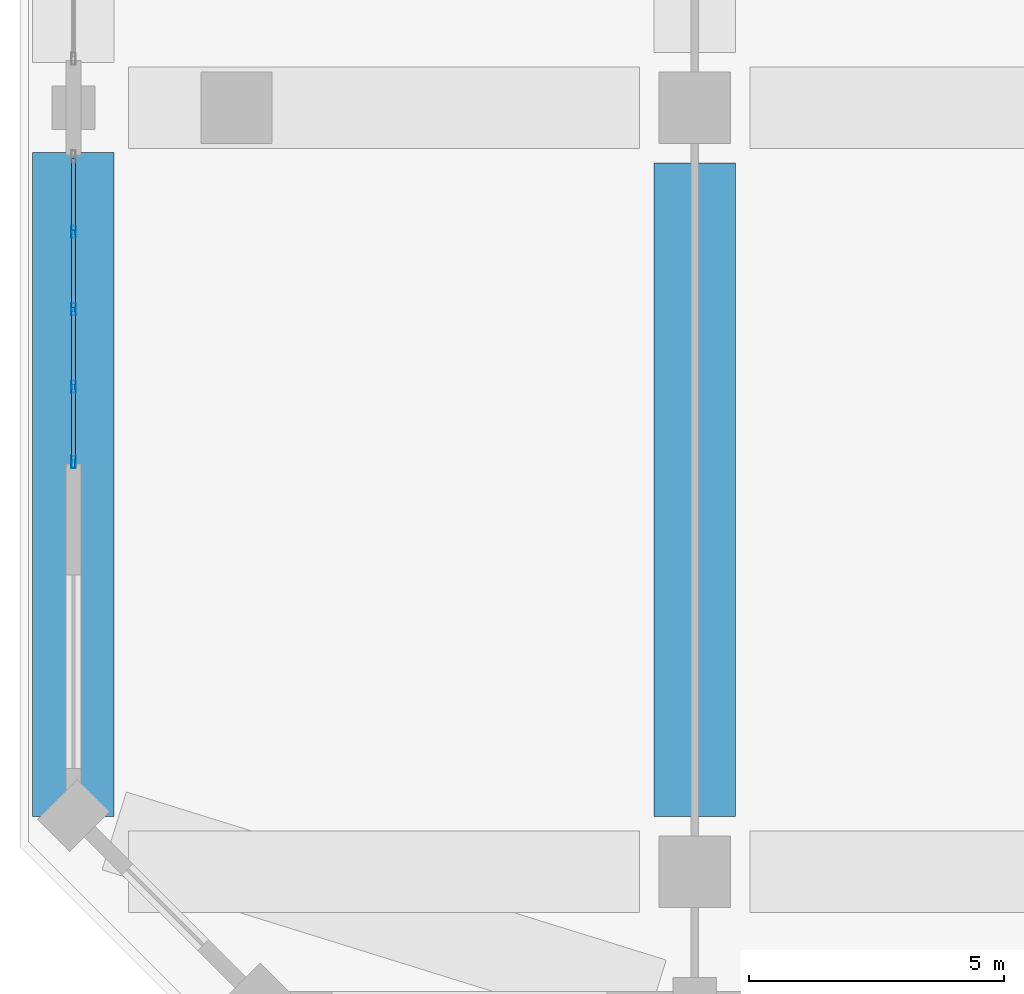
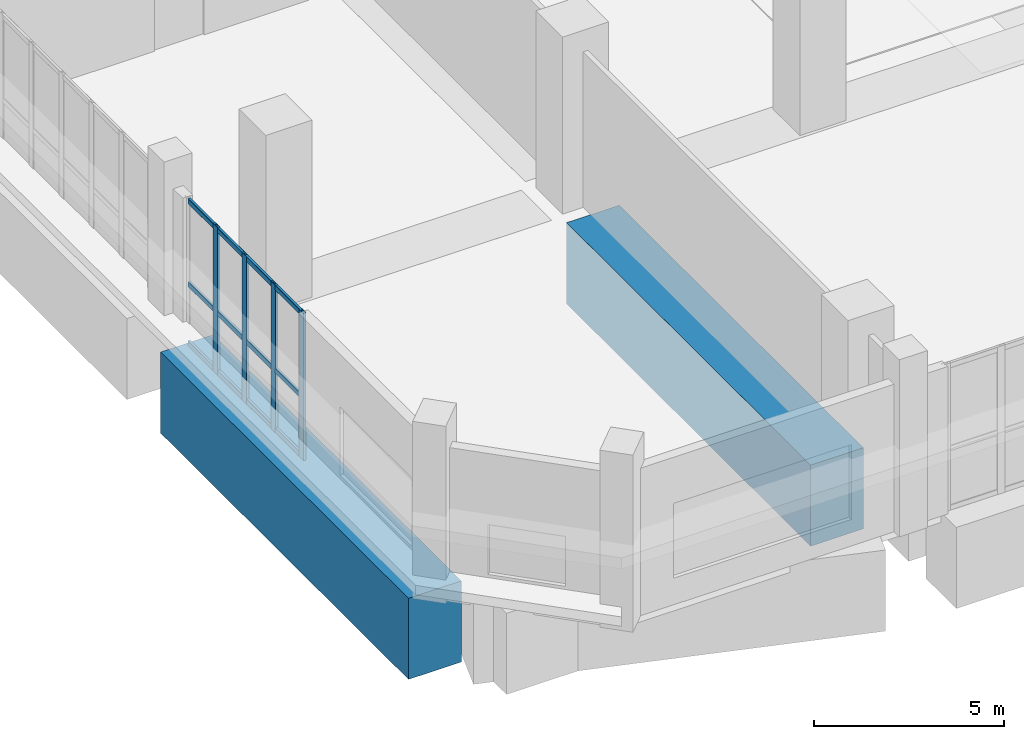
# One storey, part 3 of 25: 16 members, 2 beams, 1 element without a shape of its own.
"""IFC4 building model written with IfcOpenShell, lengths in metres."""

from ifc_helpers import new_model, si_unit, direction, frame, origin, origin_2d, place, context, subcontext, project, spatial, rectangle, hollow_rectangle, extrude, material, layer, layer_set, material_profile, profile_set, type_object, element, aggregate, save


model = new_model("IFC4")

# Units and contexts
model_context = context("Model", 3, precision=1e-05, world=origin(), true_north=direction((0.0, 1.0)))
body_context = subcontext(model_context, "Body", "Model", "MODEL_VIEW")
ifc_project = project(units=[si_unit("LENGTHUNIT", "METRE"), si_unit("AREAUNIT", "SQUARE_METRE"), si_unit("VOLUMEUNIT", "CUBIC_METRE"), si_unit("PLANEANGLEUNIT", "RADIAN"), si_unit("MASSUNIT", "GRAM", prefix="KILO")], contexts=[model_context])

# Site, building, storey
site_placement = place(None, origin())
site = spatial("IfcSite", under=ifc_project, at=site_placement, CompositionType="ELEMENT")
building_placement = place(site_placement, origin())
building = spatial("IfcBuilding", under=site, at=building_placement, Name="Kaelvorn Grand Hotel", CompositionType="ELEMENT")
storey_placement = place(building_placement, frame((0.0, 0.0, 8.0)))
storey = spatial("IfcBuildingStorey", under=building, at=storey_placement, Name="L01", CompositionType="ELEMENT", Elevation=8.0)

# Beams
ifc_material_1 = material(Name="Concrete C80/95", Category="concrete")
ifc_material_profile_1 = material_profile(ifc_material_1, rectangle(XDim=1.60009765625, YDim=2.60009765625, at=origin_2d()), Name="RC TG 1600x2600")
ifc_profile_set_1 = profile_set([ifc_material_profile_1], Name="Concrete C80/95")
beam_type = type_object("IfcBeamType", Name="BM-TG-1600x2600-C80", PredefinedType="USERDEFINED", material=ifc_profile_set_1)
beam_1_placement = place(storey_placement, frame((-3.199951171875, 1.0849609375, -1.300048828125), z_axis=(0.0, 1.0, 0.0), x_axis=(-1.0, 0.0, 0.0)))
element("IfcBeam", 1, at=beam_1_placement, inside=storey, type_object=beam_type, Name="L01 Pilotis Transfer Girder TGY-W3 01", ObjectType="TRANSFER GIRDER", PredefinedType="USERDEFINED", context=body_context, shape_type="SweptSolid", body=[
    extrude(rectangle(XDim=1.60009765625, YDim=2.60009765625, at=origin_2d()), origin(), (0.0, 0.0, 1.0), 13.030029296875),
])
beam_2_placement = place(storey_placement, frame((9.0, 1.0849609375, -1.300048828125), z_axis=(0.0, 1.0, 0.0), x_axis=(-1.0, 0.0, 0.0)))
element("IfcBeam", 2, at=beam_2_placement, inside=storey, type_object=beam_type, Name="L01 Pilotis Transfer Girder TGY-X09 01", ObjectType="TRANSFER GIRDER", PredefinedType="USERDEFINED", context=body_context, shape_type="SweptSolid", body=[
    extrude(rectangle(XDim=1.60009765625, YDim=2.60009765625, at=origin_2d()), origin(), (0.0, 0.0, 1.0), 12.830078125),
])

# Curtain wall, members
ifc_material_2 = material(Name="Anodised Aluminium", Category="aluminium")
ifc_layer = layer(ifc_material_2, 0.239990234375)
ifc_layer_set = layer_set([ifc_layer], Name="Anodised Aluminium")
curtain_wall_type = type_object("IfcCurtainWallType", Name="CW-SYS1", PredefinedType="NOTDEFINED", material=ifc_layer_set)
curtain_wall_placement = place(storey_placement, origin())
curtain_wall = element("IfcCurtainWall", 3, at=curtain_wall_placement, inside=storey, type_object=curtain_wall_type, Name="L01 Unitised Curtain Wall CW1 (CW-L01-W-01)", PredefinedType="NOTDEFINED")
ifc_material_profile_2 = material_profile(ifc_material_2, hollow_rectangle(XDim=0.080078125, YDim=0.239990234375, WallThickness=0.0048828125, InnerFilletRadius=0.0048828125, OuterFilletRadius=0.010009765625, at=origin_2d()), Name="ALU MULL 80x240")
ifc_profile_set_2 = profile_set([ifc_material_profile_2], Name="Anodised Aluminium")
member_type_1 = type_object("IfcMemberType", Name="CW-SYS1-MULL", PredefinedType="MULLION", material=ifc_profile_set_2)
member_1_placement = place(storey_placement, frame((-3.199951171875, 12.56005859375, 0.0), z_axis=(0.0, 0.0, 1.0), x_axis=(1.0, 0.0, 0.0)))
member_1 = element("IfcMember", 4, at=member_1_placement, type_object=member_type_1, Name="CW1 mullion 2", PredefinedType="MULLION", context=body_context, shape_type="SweptSolid", body=[
    extrude(hollow_rectangle(XDim=0.080078125, YDim=0.239990234375, WallThickness=0.0048828125, InnerFilletRadius=0.0048828125, OuterFilletRadius=0.010009765625, at=origin_2d()), origin(), (0.0, 0.0, 1.0), 4.72998046875),
])
member_2_placement = place(storey_placement, frame((-3.199951171875, 11.0400390625, 0.0), z_axis=(0.0, 0.0, 1.0), x_axis=(1.0, 0.0, 0.0)))
member_2 = element("IfcMember", 5, at=member_2_placement, type_object=member_type_1, Name="CW1 mullion 3", PredefinedType="MULLION", context=body_context, shape_type="SweptSolid", body=[
    extrude(hollow_rectangle(XDim=0.080078125, YDim=0.239990234375, WallThickness=0.0048828125, InnerFilletRadius=0.0048828125, OuterFilletRadius=0.010009765625, at=origin_2d()), origin(), (0.0, 0.0, 1.0), 4.72998046875),
])
member_3_placement = place(storey_placement, frame((-3.199951171875, 9.52001953125, 0.0), z_axis=(0.0, 0.0, 1.0), x_axis=(1.0, 0.0, 0.0)))
member_3 = element("IfcMember", 6, at=member_3_placement, type_object=member_type_1, Name="CW1 mullion 4", PredefinedType="MULLION", context=body_context, shape_type="SweptSolid", body=[
    extrude(hollow_rectangle(XDim=0.080078125, YDim=0.239990234375, WallThickness=0.0048828125, InnerFilletRadius=0.0048828125, OuterFilletRadius=0.010009765625, at=origin_2d()), origin(), (0.0, 0.0, 1.0), 4.72998046875),
])
member_4_placement = place(storey_placement, frame((-3.199951171875, 8.0400390625, 0.0), z_axis=(0.0, 0.0, 1.0), x_axis=(1.0, 0.0, 0.0)))
member_4 = element("IfcMember", 7, at=member_4_placement, type_object=member_type_1, Name="CW1 mullion 5", PredefinedType="MULLION", context=body_context, shape_type="SweptSolid", body=[
    extrude(hollow_rectangle(XDim=0.080078125, YDim=0.239990234375, WallThickness=0.0048828125, InnerFilletRadius=0.0048828125, OuterFilletRadius=0.010009765625, at=origin_2d()), origin(), (0.0, 0.0, 1.0), 4.72998046875),
])
ifc_material_profile_3 = material_profile(ifc_material_2, hollow_rectangle(XDim=0.080078125, YDim=0.1650390625, WallThickness=0.00439453125, InnerFilletRadius=0.00439453125, OuterFilletRadius=0.009033203125, at=origin_2d()), Name="ALU TRAN 80x165")
ifc_profile_set_3 = profile_set([ifc_material_profile_3], Name="Anodised Aluminium")
member_type_2 = type_object("IfcMemberType", Name="CW-SYS1-TRAN", PredefinedType="NOTDEFINED", material=ifc_profile_set_3)
member_5_placement = place(storey_placement, frame((-3.199951171875, 14.0, 0.08251953125), z_axis=(0.0, -1.0, 0.0), x_axis=(1.0, 0.0, 0.0)))
member_5 = element("IfcMember", 8, at=member_5_placement, type_object=member_type_2, Name="CW1 transom 1.1", ObjectType="TRANSOM", PredefinedType="USERDEFINED", context=body_context, shape_type="SweptSolid", body=[
    extrude(hollow_rectangle(XDim=0.080078125, YDim=0.1650390625, WallThickness=0.00439453125, InnerFilletRadius=0.00439453125, OuterFilletRadius=0.009033203125, at=origin_2d()), origin(), (0.0, 0.0, 1.0), 1.39990234375),
])
member_6_placement = place(storey_placement, frame((-3.199951171875, 14.0, 1.986572265625), z_axis=(0.0, -1.0, 0.0), x_axis=(1.0, 0.0, 0.0)))
member_6 = element("IfcMember", 9, at=member_6_placement, type_object=member_type_2, Name="CW1 transom 1.2", ObjectType="TRANSOM", PredefinedType="USERDEFINED", context=body_context, shape_type="SweptSolid", body=[
    extrude(hollow_rectangle(XDim=0.080078125, YDim=0.1650390625, WallThickness=0.00439453125, InnerFilletRadius=0.00439453125, OuterFilletRadius=0.009033203125, at=origin_2d()), origin(), (0.0, 0.0, 1.0), 1.39990234375),
])
member_7_placement = place(storey_placement, frame((-3.199951171875, 14.0, 4.6474609375), z_axis=(0.0, -1.0, 0.0), x_axis=(1.0, 0.0, 0.0)))
member_7 = element("IfcMember", 10, at=member_7_placement, type_object=member_type_2, Name="CW1 transom 1.3", ObjectType="TRANSOM", PredefinedType="USERDEFINED", context=body_context, shape_type="SweptSolid", body=[
    extrude(hollow_rectangle(XDim=0.080078125, YDim=0.1650390625, WallThickness=0.00439453125, InnerFilletRadius=0.00439453125, OuterFilletRadius=0.009033203125, at=origin_2d()), origin(), (0.0, 0.0, 1.0), 1.39990234375),
])
member_8_placement = place(storey_placement, frame((-3.199951171875, 12.52001953125, 0.08251953125), z_axis=(0.0, -1.0, 0.0), x_axis=(1.0, 0.0, 0.0)))
member_8 = element("IfcMember", 11, at=member_8_placement, type_object=member_type_2, Name="CW1 transom 2.1", ObjectType="TRANSOM", PredefinedType="USERDEFINED", context=body_context, shape_type="SweptSolid", body=[
    extrude(hollow_rectangle(XDim=0.080078125, YDim=0.1650390625, WallThickness=0.00439453125, InnerFilletRadius=0.00439453125, OuterFilletRadius=0.009033203125, at=origin_2d()), origin(), (0.0, 0.0, 1.0), 1.43994140625),
])
member_9_placement = place(storey_placement, frame((-3.199951171875, 12.52001953125, 1.986572265625), z_axis=(0.0, -1.0, 0.0), x_axis=(1.0, 0.0, 0.0)))
member_9 = element("IfcMember", 12, at=member_9_placement, type_object=member_type_2, Name="CW1 transom 2.2", ObjectType="TRANSOM", PredefinedType="USERDEFINED", context=body_context, shape_type="SweptSolid", body=[
    extrude(hollow_rectangle(XDim=0.080078125, YDim=0.1650390625, WallThickness=0.00439453125, InnerFilletRadius=0.00439453125, OuterFilletRadius=0.009033203125, at=origin_2d()), origin(), (0.0, 0.0, 1.0), 1.43994140625),
])
member_10_placement = place(storey_placement, frame((-3.199951171875, 12.52001953125, 4.6474609375), z_axis=(0.0, -1.0, 0.0), x_axis=(1.0, 0.0, 0.0)))
member_10 = element("IfcMember", 13, at=member_10_placement, type_object=member_type_2, Name="CW1 transom 2.3", ObjectType="TRANSOM", PredefinedType="USERDEFINED", context=body_context, shape_type="SweptSolid", body=[
    extrude(hollow_rectangle(XDim=0.080078125, YDim=0.1650390625, WallThickness=0.00439453125, InnerFilletRadius=0.00439453125, OuterFilletRadius=0.009033203125, at=origin_2d()), origin(), (0.0, 0.0, 1.0), 1.43994140625),
])
member_11_placement = place(storey_placement, frame((-3.199951171875, 11.0, 0.08251953125), z_axis=(0.0, -1.0, 0.0), x_axis=(1.0, 0.0, 0.0)))
member_11 = element("IfcMember", 14, at=member_11_placement, type_object=member_type_2, Name="CW1 transom 3.1", ObjectType="TRANSOM", PredefinedType="USERDEFINED", context=body_context, shape_type="SweptSolid", body=[
    extrude(hollow_rectangle(XDim=0.080078125, YDim=0.1650390625, WallThickness=0.00439453125, InnerFilletRadius=0.00439453125, OuterFilletRadius=0.009033203125, at=origin_2d()), origin(), (0.0, 0.0, 1.0), 1.43994140625),
])
member_12_placement = place(storey_placement, frame((-3.199951171875, 11.0, 1.986572265625), z_axis=(0.0, -1.0, 0.0), x_axis=(1.0, 0.0, 0.0)))
member_12 = element("IfcMember", 15, at=member_12_placement, type_object=member_type_2, Name="CW1 transom 3.2", ObjectType="TRANSOM", PredefinedType="USERDEFINED", context=body_context, shape_type="SweptSolid", body=[
    extrude(hollow_rectangle(XDim=0.080078125, YDim=0.1650390625, WallThickness=0.00439453125, InnerFilletRadius=0.00439453125, OuterFilletRadius=0.009033203125, at=origin_2d()), origin(), (0.0, 0.0, 1.0), 1.43994140625),
])
member_13_placement = place(storey_placement, frame((-3.199951171875, 11.0, 4.6474609375), z_axis=(0.0, -1.0, 0.0), x_axis=(1.0, 0.0, 0.0)))
member_13 = element("IfcMember", 16, at=member_13_placement, type_object=member_type_2, Name="CW1 transom 3.3", ObjectType="TRANSOM", PredefinedType="USERDEFINED", context=body_context, shape_type="SweptSolid", body=[
    extrude(hollow_rectangle(XDim=0.080078125, YDim=0.1650390625, WallThickness=0.00439453125, InnerFilletRadius=0.00439453125, OuterFilletRadius=0.009033203125, at=origin_2d()), origin(), (0.0, 0.0, 1.0), 1.43994140625),
])
member_14_placement = place(storey_placement, frame((-3.199951171875, 9.47998046875, 0.08251953125), z_axis=(0.0, -1.0, 0.0), x_axis=(1.0, 0.0, 0.0)))
member_14 = element("IfcMember", 17, at=member_14_placement, type_object=member_type_2, Name="CW1 transom 4.1", ObjectType="TRANSOM", PredefinedType="USERDEFINED", context=body_context, shape_type="SweptSolid", body=[
    extrude(hollow_rectangle(XDim=0.080078125, YDim=0.1650390625, WallThickness=0.00439453125, InnerFilletRadius=0.00439453125, OuterFilletRadius=0.009033203125, at=origin_2d()), origin(), (0.0, 0.0, 1.0), 1.39990234375),
])
member_15_placement = place(storey_placement, frame((-3.199951171875, 9.47998046875, 1.986572265625), z_axis=(0.0, -1.0, 0.0), x_axis=(1.0, 0.0, 0.0)))
member_15 = element("IfcMember", 18, at=member_15_placement, type_object=member_type_2, Name="CW1 transom 4.2", ObjectType="TRANSOM", PredefinedType="USERDEFINED", context=body_context, shape_type="SweptSolid", body=[
    extrude(hollow_rectangle(XDim=0.080078125, YDim=0.1650390625, WallThickness=0.00439453125, InnerFilletRadius=0.00439453125, OuterFilletRadius=0.009033203125, at=origin_2d()), origin(), (0.0, 0.0, 1.0), 1.39990234375),
])
member_16_placement = place(storey_placement, frame((-3.199951171875, 9.47998046875, 4.6474609375), z_axis=(0.0, -1.0, 0.0), x_axis=(1.0, 0.0, 0.0)))
member_16 = element("IfcMember", 19, at=member_16_placement, type_object=member_type_2, Name="CW1 transom 4.3", ObjectType="TRANSOM", PredefinedType="USERDEFINED", context=body_context, shape_type="SweptSolid", body=[
    extrude(hollow_rectangle(XDim=0.080078125, YDim=0.1650390625, WallThickness=0.00439453125, InnerFilletRadius=0.00439453125, OuterFilletRadius=0.009033203125, at=origin_2d()), origin(), (0.0, 0.0, 1.0), 1.39990234375),
])
aggregate(curtain_wall, [member_1, member_2, member_3, member_4, member_5, member_6, member_7, member_8, member_9, member_10, member_11, member_12, member_13, member_14, member_15, member_16])

save(model, "model.ifc")
